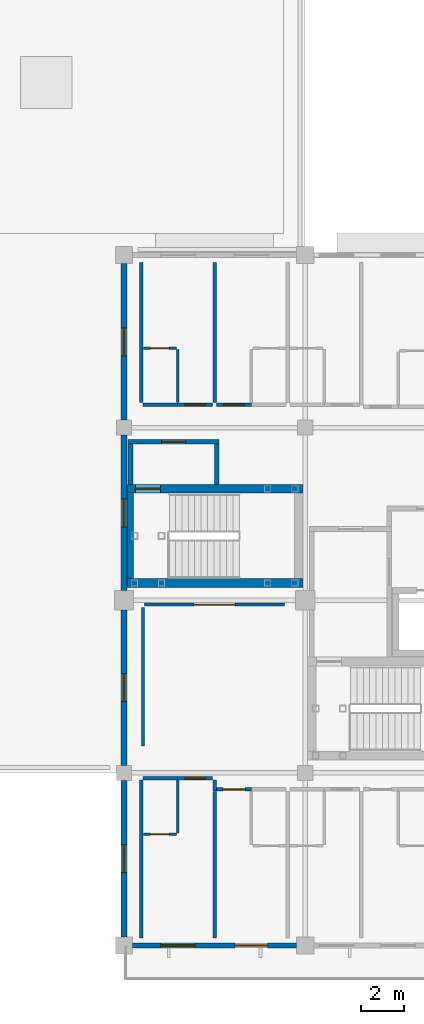
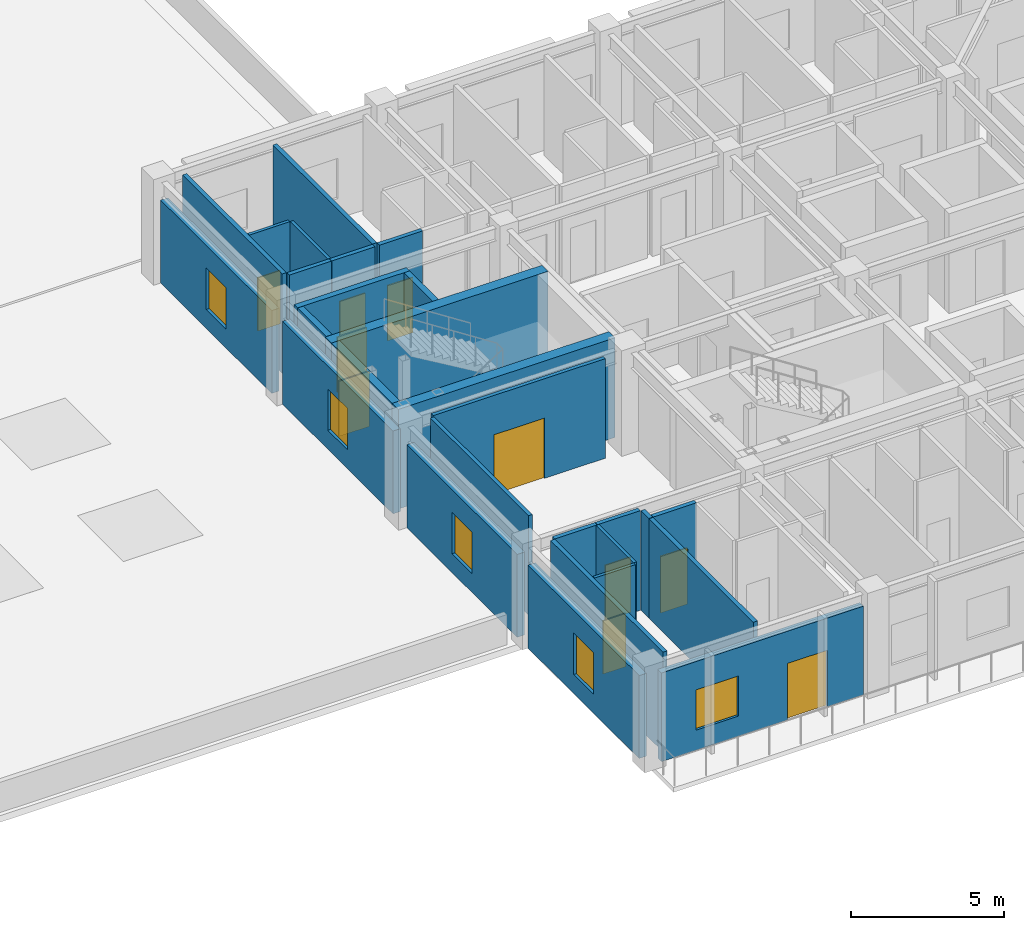
# One storey, part 6 of 22: 28 walls, 10 doors, 5 windows, 15 openings.
"""IFC4 building model written with IfcOpenShell, lengths in metres."""

from ifc_helpers import new_model, si_unit, direction, frame, frame_2d, origin, place, context, subcontext, project, spatial, rectangle, extrude, material, layer, layer_set, type_object, element, fill, save


model = new_model("IFC4")

# Units and contexts
model_context = context("Model", 3, precision=1e-05, world=origin(), true_north=direction((0.0, 1.0)))
body_context = subcontext(model_context, "Body", "Model", "MODEL_VIEW")
ifc_project = project(units=[si_unit("LENGTHUNIT", "METRE"), si_unit("AREAUNIT", "SQUARE_METRE"), si_unit("VOLUMEUNIT", "CUBIC_METRE"), si_unit("PLANEANGLEUNIT", "RADIAN"), si_unit("MASSUNIT", "GRAM", prefix="KILO")], contexts=[model_context])

# Site, building, storey
site_placement = place(None, origin())
site = spatial("IfcSite", under=ifc_project, at=site_placement, CompositionType="ELEMENT")
building_placement = place(site_placement, origin())
building = spatial("IfcBuilding", under=site, at=building_placement, Name="Naruveol Harbour Congress Hotel", CompositionType="ELEMENT")
storey_placement = place(building_placement, frame((0.0, 0.0, 21.0)))
storey = spatial("IfcBuildingStorey", under=building, at=storey_placement, Name="L04", CompositionType="ELEMENT", Elevation=21.0)

# Wall, opening, door
ifc_material_1 = material(Name="Acoustic Double Stud Gypsum", Category="gypsum")
ifc_layer_1 = layer(ifc_material_1, 0.139892578125)
ifc_layer_set_1 = layer_set([ifc_layer_1], Name="Acoustic Double Stud Gypsum")
wall_type_1 = type_object("IfcWallType", Name="ACOUSTIC MEETING PARTITION WALL 140", PredefinedType="PARTITIONING", material=ifc_layer_set_1)
wall_1_placement = place(storey_placement, frame((118.56005859375, 15.800048828125, 0.0), z_axis=(0.0, 0.0, 1.0), x_axis=(1.0, 0.0, 0.0)))
wall_1 = element("IfcWall", 1, at=wall_1_placement, inside=storey, type_object=wall_type_1, Name="Harbour Club Lounge north entry wall PW-140", PredefinedType="PARTITIONING", context=body_context, shape_type="SweptSolid", body=[
    extrude(rectangle(XDim=6.47998046875, YDim=0.139892578125, at=frame_2d((3.239990234375, 0.0))), origin(), (0.0, 0.0, 1.0), 3.965087890625),
])
opening_1_placement = place(wall_1_placement, frame((2.2900390625, 0.0, 0.0)))
opening_1 = element("IfcOpeningElement", 2, at=opening_1_placement, cuts=wall_1, Name="Opening ID-LG-95", PredefinedType="OPENING", context=body_context, shape_type="SweptSolid", body=[
    extrude(rectangle(XDim=1.89990234375, YDim=2.39990234375, at=frame_2d((0.949951171875, 1.199951171875))), frame((0.0, 0.079833984375, 0.0), z_axis=(0.0, -1.0, 0.0), x_axis=(1.0, 0.0, 0.0)), (0.0, 0.0, 1.0), 0.159912109375),
])
ifc_material_2 = material(Name="Timber & Steel Acoustic Leaf", Category="steel")
door_type_1 = type_object("IfcDoorType", Name="RESTAURANT AND LOUNGE GLAZED DOOR 1900X2400", OperationType="DOUBLE_DOOR_SINGLE_SWING", PredefinedType="DOOR", material=ifc_material_2)
door_1_placement = place(opening_1_placement, origin())
door_1 = element("IfcDoor", 3, at=door_1_placement, inside=storey, type_object=door_type_1, Name="Harbour Club Lounge Entrance Door", OperationType="DOUBLE_DOOR_SINGLE_SWING", OverallHeight=2.39990234375, OverallWidth=1.89990234375, PredefinedType="DOOR", context=body_context, shape_type="SweptSolid", body=[
    extrude(rectangle(XDim=1.89990234375, YDim=2.39990234375, at=frame_2d((0.949951171875, 1.199951171875))), frame((0.0, 0.02490234375, 0.0), z_axis=(0.0, -1.0, 0.0), x_axis=(1.0, 0.0, 0.0)), (0.0, 0.0, 1.0), 0.050048828125),
])
fill(opening_1, door_1)

# Wall
wall_2_placement = place(storey_placement, frame((118.47998046875, 9.25, 0.0), z_axis=(0.0, 0.0, 1.0), x_axis=(0.0, 1.0, 0.0)))
element("IfcWall", 4, at=wall_2_placement, inside=storey, type_object=wall_type_1, Name="Harbour Club Lounge west partition PW-140", PredefinedType="PARTITIONING", context=body_context, shape_type="SweptSolid", body=[
    extrude(rectangle(XDim=6.409912109375, YDim=0.139892578125, at=frame_2d((3.205078125, 0.0))), origin(), (0.0, 0.0, 1.0), 3.965087890625),
])

# Wall, opening, window
ifc_material_3 = material(Name="Precast concrete C40/50", Category="concrete")
ifc_layer_2 = layer(ifc_material_3, 0.280029296875)
ifc_layer_set_2 = layer_set([ifc_layer_2], Name="Precast concrete C40/50")
wall_type_2 = type_object("IfcWallType", Name="ARCHITECTURAL PRECAST FACADE WALL 280", PredefinedType="SOLIDWALL", material=ifc_layer_set_2)
wall_3_placement = place(storey_placement, frame((117.60009765625, 0.39990234375, 0.0), z_axis=(0.0, 0.0, 1.0), x_axis=(0.0, 1.0, 0.0)))
wall_3 = element("IfcWall", 5, at=wall_3_placement, inside=storey, type_object=wall_type_2, Name="Hotel west gable wall L04 EW-280", PredefinedType="SOLIDWALL", context=body_context, shape_type="SweptSolid", body=[
    extrude(rectangle(XDim=7.25, YDim=0.280029296875, at=frame_2d((3.625, 0.0))), origin(), (0.0, 0.0, 1.0), 3.300048828125),
])
opening_2_placement = place(wall_3_placement, frame((2.97509765625, 0.0, 0.75)))
opening_2 = element("IfcOpeningElement", 6, at=opening_2_placement, cuts=wall_3, Name="Opening W-27", PredefinedType="OPENING", context=body_context, shape_type="SweptSolid", body=[
    extrude(rectangle(XDim=1.300048828125, YDim=1.64990234375, at=frame_2d((0.64990234375, 0.824951171875))), frame((0.0, 0.14990234375, 0.0), z_axis=(0.0, -1.0, 0.0), x_axis=(1.0, 0.0, 0.0)), (0.0, 0.0, 1.0), 0.300048828125),
])
ifc_material_4 = material(Name="Low-E Triple Glazing in Thermal Aluminium", Category="aluminium")
window_type_1 = type_object("IfcWindowType", Name="READING SALON TALL WINDOW 1300X1650", PartitioningType="SINGLE_PANEL", PredefinedType="WINDOW", material=ifc_material_4)
window_1_placement = place(opening_2_placement, origin())
window_1 = element("IfcWindow", 7, at=window_1_placement, inside=storey, type_object=window_type_1, Name="Window W-27 #304", OverallHeight=1.64990234375, OverallWidth=1.300048828125, PartitioningType="SINGLE_PANEL", PredefinedType="WINDOW", context=body_context, shape_type="SweptSolid", body=[
    extrude(rectangle(XDim=1.300048828125, YDim=1.64990234375, at=frame_2d((0.64990234375, 0.824951171875))), frame((0.0, 0.030029296875, 0.0), z_axis=(0.0, -1.0, 0.0), x_axis=(1.0, 0.0, 0.0)), (0.0, 0.0, 1.0), 0.06005859375),
])
fill(opening_2, window_1)

wall_4_placement = place(storey_placement, frame((117.60009765625, 8.35009765625, 0.0), z_axis=(0.0, 0.0, 1.0), x_axis=(0.0, 1.0, 0.0)))
wall_4 = element("IfcWall", 8, at=wall_4_placement, inside=storey, type_object=wall_type_2, Name="Hotel west gable wall L04 EW-280", PredefinedType="SOLIDWALL", context=body_context, shape_type="SweptSolid", body=[
    extrude(rectangle(XDim=7.199951171875, YDim=0.280029296875, at=frame_2d((3.60009765625, 0.0))), origin(), (0.0, 0.0, 1.0), 3.300048828125),
])
opening_3_placement = place(wall_4_placement, frame((2.949951171875, 0.0, 0.75)))
opening_3 = element("IfcOpeningElement", 9, at=opening_3_placement, cuts=wall_4, Name="Opening W-27", PredefinedType="OPENING", context=body_context, shape_type="SweptSolid", body=[
    extrude(rectangle(XDim=1.300048828125, YDim=1.64990234375, at=frame_2d((0.64990234375, 0.824951171875))), frame((0.0, 0.14990234375, 0.0), z_axis=(0.0, -1.0, 0.0), x_axis=(1.0, 0.0, 0.0)), (0.0, 0.0, 1.0), 0.300048828125),
])
window_2_placement = place(opening_3_placement, origin())
window_2 = element("IfcWindow", 10, at=window_2_placement, inside=storey, type_object=window_type_1, Name="Window W-27 #305", OverallHeight=1.64990234375, OverallWidth=1.300048828125, PartitioningType="SINGLE_PANEL", PredefinedType="WINDOW", context=body_context, shape_type="SweptSolid", body=[
    extrude(rectangle(XDim=1.300048828125, YDim=1.64990234375, at=frame_2d((0.64990234375, 0.824951171875))), frame((0.0, 0.030029296875, 0.0), z_axis=(0.0, -1.0, 0.0), x_axis=(1.0, 0.0, 0.0)), (0.0, 0.0, 1.0), 0.06005859375),
])
fill(opening_3, window_2)

wall_5_placement = place(storey_placement, frame((117.60009765625, 16.449951171875, 0.0), z_axis=(0.0, 0.0, 1.0), x_axis=(0.0, 1.0, 0.0)))
wall_5 = element("IfcWall", 11, at=wall_5_placement, inside=storey, type_object=wall_type_2, Name="Hotel west gable wall L04 EW-280", PredefinedType="SOLIDWALL", context=body_context, shape_type="SweptSolid", body=[
    extrude(rectangle(XDim=7.199951171875, YDim=0.280029296875, at=frame_2d((3.60009765625, 0.0))), origin(), (0.0, 0.0, 1.0), 3.300048828125),
])
opening_4_placement = place(wall_5_placement, frame((2.949951171875, 0.0, 0.75)))
opening_4 = element("IfcOpeningElement", 12, at=opening_4_placement, cuts=wall_5, Name="Opening W-27", PredefinedType="OPENING", context=body_context, shape_type="SweptSolid", body=[
    extrude(rectangle(XDim=1.300048828125, YDim=1.64990234375, at=frame_2d((0.64990234375, 0.824951171875))), frame((0.0, 0.14990234375, 0.0), z_axis=(0.0, -1.0, 0.0), x_axis=(1.0, 0.0, 0.0)), (0.0, 0.0, 1.0), 0.300048828125),
])
window_3_placement = place(opening_4_placement, origin())
window_3 = element("IfcWindow", 13, at=window_3_placement, inside=storey, type_object=window_type_1, Name="Window W-27 #306", OverallHeight=1.64990234375, OverallWidth=1.300048828125, PartitioningType="SINGLE_PANEL", PredefinedType="WINDOW", context=body_context, shape_type="SweptSolid", body=[
    extrude(rectangle(XDim=1.300048828125, YDim=1.64990234375, at=frame_2d((0.64990234375, 0.824951171875))), frame((0.0, 0.030029296875, 0.0), z_axis=(0.0, -1.0, 0.0), x_axis=(1.0, 0.0, 0.0)), (0.0, 0.0, 1.0), 0.06005859375),
])
fill(opening_4, window_3)

wall_6_placement = place(storey_placement, frame((117.60009765625, 24.35009765625, 0.0), z_axis=(0.0, 0.0, 1.0), x_axis=(0.0, 1.0, 0.0)))
wall_6 = element("IfcWall", 14, at=wall_6_placement, inside=storey, type_object=wall_type_2, Name="Hotel west gable wall L04 EW-280", PredefinedType="SOLIDWALL", context=body_context, shape_type="SweptSolid", body=[
    extrude(rectangle(XDim=7.25, YDim=0.280029296875, at=frame_2d((3.625, 0.0))), origin(), (0.0, 0.0, 1.0), 3.300048828125),
])
opening_5_placement = place(wall_6_placement, frame((2.97509765625, 0.0, 0.75)))
opening_5 = element("IfcOpeningElement", 15, at=opening_5_placement, cuts=wall_6, Name="Opening W-27", PredefinedType="OPENING", context=body_context, shape_type="SweptSolid", body=[
    extrude(rectangle(XDim=1.300048828125, YDim=1.64990234375, at=frame_2d((0.64990234375, 0.824951171875))), frame((0.0, 0.14990234375, 0.0), z_axis=(0.0, -1.0, 0.0), x_axis=(1.0, 0.0, 0.0)), (0.0, 0.0, 1.0), 0.300048828125),
])
window_4_placement = place(opening_5_placement, origin())
window_4 = element("IfcWindow", 16, at=window_4_placement, inside=storey, type_object=window_type_1, Name="Window W-27 #307", OverallHeight=1.64990234375, OverallWidth=1.300048828125, PartitioningType="SINGLE_PANEL", PredefinedType="WINDOW", context=body_context, shape_type="SweptSolid", body=[
    extrude(rectangle(XDim=1.300048828125, YDim=1.64990234375, at=frame_2d((0.64990234375, 0.824951171875))), frame((0.0, 0.030029296875, 0.0), z_axis=(0.0, -1.0, 0.0), x_axis=(1.0, 0.0, 0.0)), (0.0, 0.0, 1.0), 0.06005859375),
])
fill(opening_5, window_4)

# Wall
ifc_material_5 = material(Name="Moisture-Resistant Gypsum Partition", Category="gypsum")
ifc_layer_3 = layer(ifc_material_5, 0.114990234375)
ifc_layer_set_3 = layer_set([ifc_layer_3], Name="Moisture-Resistant Gypsum Partition")
wall_type_3 = type_object("IfcWallType", Name="BATHROOM MOISTURE PARTITION WALL 115", PredefinedType="PARTITIONING", material=ifc_layer_set_3)
wall_7_placement = place(storey_placement, frame((120.090087890625, 25.159912109375, 0.0), z_axis=(0.0, 0.0, 1.0), x_axis=(0.0, 1.0, 0.0)))
element("IfcWall", 17, at=wall_7_placement, inside=storey, type_object=wall_type_3, Name="Bathroom east wall 0596 PW-115", PredefinedType="PARTITIONING", context=body_context, shape_type="SweptSolid", body=[
    extrude(rectangle(XDim=2.4501953125, YDim=0.114990234375, at=frame_2d((1.22509765625, 0.0))), origin(), (0.0, 0.0, 1.0), 3.965087890625),
])

# Wall, opening, door
wall_8_placement = place(storey_placement, frame((118.5, 27.669921875, 0.0), z_axis=(0.0, 0.0, 1.0), x_axis=(1.0, 0.0, 0.0)))
wall_8 = element("IfcWall", 18, at=wall_8_placement, inside=storey, type_object=wall_type_3, Name="Bathroom north wall 0596 PW-115", PredefinedType="PARTITIONING", context=body_context, shape_type="SweptSolid", body=[
    extrude(rectangle(XDim=1.530029296875, YDim=0.114990234375, at=frame_2d((0.76513671875, 0.0))), origin(), (0.0, 0.0, 1.0), 3.965087890625),
])
opening_6_placement = place(wall_8_placement, frame((0.3349609375, 0.0, 0.0)))
opening_6 = element("IfcOpeningElement", 19, at=opening_6_placement, cuts=wall_8, Name="Opening BD-RM0596", PredefinedType="OPENING", context=body_context, shape_type="SweptSolid", body=[
    extrude(rectangle(XDim=0.860107421875, YDim=2.1201171875, at=frame_2d((0.43017578125, 1.06005859375))), frame((0.0, 0.0673828125, 0.0), z_axis=(0.0, -1.0, 0.0), x_axis=(1.0, 0.0, 0.0)), (0.0, 0.0, 1.0), 0.135009765625),
])
ifc_material_6 = material(Name="Timber & Steel Acoustic Leaf", Category="steel")
door_type_2 = type_object("IfcDoorType", Name="GUEST BATHROOM DOOR 860X2120", OperationType="NOTDEFINED", PredefinedType="DOOR", material=ifc_material_6)
door_2_placement = place(opening_6_placement, origin())
door_2 = element("IfcDoor", 20, at=door_2_placement, inside=storey, type_object=door_type_2, Name="Bathroom Door 0596", OperationType="SINGLE_SWING_RIGHT", OverallHeight=2.1201171875, OverallWidth=0.860107421875, PredefinedType="DOOR", context=body_context, shape_type="SweptSolid", body=[
    extrude(rectangle(XDim=0.860107421875, YDim=2.1201171875, at=frame_2d((0.43017578125, 1.06005859375))), frame((0.0, 0.02490234375, 0.0), z_axis=(0.0, -1.0, 0.0), x_axis=(1.0, 0.0, 0.0)), (0.0, 0.0, 1.0), 0.050048828125),
])
fill(opening_6, door_2)

# Wall
wall_9_placement = place(storey_placement, frame((120.090087890625, 5.219970703125, 0.0), z_axis=(0.0, 0.0, 1.0), x_axis=(0.0, 1.0, 0.0)))
element("IfcWall", 21, at=wall_9_placement, inside=storey, type_object=wall_type_3, Name="Bathroom east wall 0577 PW-115", PredefinedType="PARTITIONING", context=body_context, shape_type="SweptSolid", body=[
    extrude(rectangle(XDim=2.449951171875, YDim=0.114990234375, at=frame_2d((1.22509765625, 0.0))), origin(), (0.0, 0.0, 1.0), 3.965087890625),
])

# Wall, opening, door
wall_10_placement = place(storey_placement, frame((118.5, 5.159912109375, 0.0), z_axis=(0.0, 0.0, 1.0), x_axis=(1.0, 0.0, 0.0)))
wall_10 = element("IfcWall", 22, at=wall_10_placement, inside=storey, type_object=wall_type_3, Name="Bathroom south wall 0577 PW-115", PredefinedType="PARTITIONING", context=body_context, shape_type="SweptSolid", body=[
    extrude(rectangle(XDim=1.530029296875, YDim=0.114990234375, at=frame_2d((0.76513671875, 0.0))), origin(), (0.0, 0.0, 1.0), 3.965087890625),
])
opening_7_placement = place(wall_10_placement, frame((0.3349609375, 0.0, 0.0)))
opening_7 = element("IfcOpeningElement", 23, at=opening_7_placement, cuts=wall_10, Name="Opening BD-RM0577", PredefinedType="OPENING", context=body_context, shape_type="SweptSolid", body=[
    extrude(rectangle(XDim=0.860107421875, YDim=2.1201171875, at=frame_2d((0.43017578125, 1.06005859375))), frame((0.0, 0.0673828125, 0.0), z_axis=(0.0, -1.0, 0.0), x_axis=(1.0, 0.0, 0.0)), (0.0, 0.0, 1.0), 0.135009765625),
])
door_3_placement = place(opening_7_placement, origin())
door_3 = element("IfcDoor", 24, at=door_3_placement, inside=storey, type_object=door_type_2, Name="Bathroom Door 0577", OperationType="SINGLE_SWING_RIGHT", OverallHeight=2.1201171875, OverallWidth=0.860107421875, PredefinedType="DOOR", context=body_context, shape_type="SweptSolid", body=[
    extrude(rectangle(XDim=0.860107421875, YDim=2.1201171875, at=frame_2d((0.43017578125, 1.06005859375))), frame((0.0, 0.02490234375, 0.0), z_axis=(0.0, -1.0, 0.0), x_axis=(1.0, 0.0, 0.0)), (0.0, 0.0, 1.0), 0.050048828125),
])
fill(opening_7, door_3)

# Wall
ifc_material_7 = material(Name="Concrete C40/50", Category="concrete")
ifc_layer_4 = layer(ifc_material_7, 0.219970703125)
ifc_layer_set_4 = layer_set([ifc_layer_4], Name="Concrete C40/50")
wall_type_4 = type_object("IfcWallType", Name="FIRE COMPARTMENT AND LOBBY WALL 220 EI120", PredefinedType="PARTITIONING", material=ifc_layer_set_4)
wall_11_placement = place(storey_placement, frame((117.89990234375, 21.364990234375, 0.0), z_axis=(0.0, 0.0, 1.0), x_axis=(0.0, 1.0, 0.0)))
element("IfcWall", 25, at=wall_11_placement, inside=storey, type_object=wall_type_4, Name="Smoke vestibule ST3 west wall FW-220", PredefinedType="PARTITIONING", context=body_context, shape_type="SweptSolid", body=[
    extrude(rectangle(XDim=1.8701171875, YDim=0.219970703125, at=frame_2d((0.93505859375, 0.0))), origin(), (0.0, 0.0, 1.0), 3.965087890625),
])

# Wall, opening, door
wall_12_placement = place(storey_placement, frame((117.7900390625, 23.35009765625, 0.0), z_axis=(0.0, 0.0, 1.0), x_axis=(1.0, 0.0, 0.0)))
wall_12 = element("IfcWall", 26, at=wall_12_placement, inside=storey, type_object=wall_type_4, Name="Smoke vestibule ST3 north wall FW-220", PredefinedType="PARTITIONING", context=body_context, shape_type="SweptSolid", body=[
    extrude(rectangle(XDim=4.219970703125, YDim=0.219970703125, at=frame_2d((2.10986328125, 0.0))), origin(), (0.0, 0.0, 1.0), 3.965087890625),
])
opening_8_placement = place(wall_12_placement, frame((1.550048828125, 0.0, 0.0)))
opening_8 = element("IfcOpeningElement", 27, at=opening_8_placement, cuts=wall_12, Name="Opening FD-ST3-V-L04", PredefinedType="OPENING", context=body_context, shape_type="SweptSolid", body=[
    extrude(rectangle(XDim=1.1201171875, YDim=2.199951171875, at=frame_2d((0.56005859375, 1.10009765625))), frame((0.0, 0.119873046875, 0.0), z_axis=(0.0, -1.0, 0.0), x_axis=(1.0, 0.0, 0.0)), (0.0, 0.0, 1.0), 0.239990234375),
])
ifc_material_8 = material(Name="Timber & Steel Acoustic Leaf", Category="steel")
door_type_3 = type_object("IfcDoorType", Name="VESTIBULE SMOKE CONTROL FIRE DOOR 1120X2200", OperationType="NOTDEFINED", PredefinedType="DOOR", material=ifc_material_8)
door_4_placement = place(opening_8_placement, origin())
door_4 = element("IfcDoor", 28, at=door_4_placement, inside=storey, type_object=door_type_3, Name="Smoke Vestibule Entry Door ST3 L04", OperationType="SINGLE_SWING_LEFT", OverallHeight=2.199951171875, OverallWidth=1.1201171875, PredefinedType="DOOR", context=body_context, shape_type="SweptSolid", body=[
    extrude(rectangle(XDim=1.1201171875, YDim=2.199951171875, at=frame_2d((0.56005859375, 1.10009765625))), frame((0.0, 0.02490234375, 0.0), z_axis=(0.0, -1.0, 0.0), x_axis=(1.0, 0.0, 0.0)), (0.0, 0.0, 1.0), 0.050048828125),
])
fill(opening_8, door_4)

# Walls
wall_13_placement = place(storey_placement, frame((121.89990234375, 21.364990234375, 0.0), z_axis=(0.0, 0.0, 1.0), x_axis=(0.0, 1.0, 0.0)))
element("IfcWall", 29, at=wall_13_placement, inside=storey, type_object=wall_type_4, Name="Smoke vestibule ST3 east wall FW-220", PredefinedType="PARTITIONING", context=body_context, shape_type="SweptSolid", body=[
    extrude(rectangle(XDim=1.8701171875, YDim=0.219970703125, at=frame_2d((0.93505859375, 0.0))), origin(), (0.0, 0.0, 1.0), 3.965087890625),
])
ifc_material_9 = material(Name="Autoclaved Aerated Concrete Block", Category="concrete")
ifc_layer_5 = layer(ifc_material_9, 0.159912109375)
ifc_layer_set_5 = layer_set([ifc_layer_5], Name="Autoclaved Aerated Concrete Block")
wall_type_5 = type_object("IfcWallType", Name="HOTEL PARTY AND CORRIDOR WALL 160 EI60", PredefinedType="PARTITIONING", material=ifc_layer_set_5)
wall_14_placement = place(storey_placement, frame((118.489990234375, 25.070068359375, 0.0), z_axis=(0.0, 0.0, 1.0), x_axis=(1.0, 0.0, 0.0)))
element("IfcWall", 30, at=wall_14_placement, inside=storey, type_object=wall_type_5, Name="Corridor wall 0596B PW-160", PredefinedType="PARTITIONING", context=body_context, shape_type="SweptSolid", body=[
    extrude(rectangle(XDim=1.590087890625, YDim=0.159912109375, at=frame_2d((0.794921875, 0.0))), origin(), (0.0, 0.0, 1.0), 3.965087890625),
])

# Wall, opening, door
wall_15_placement = place(storey_placement, frame((120.090087890625, 25.070068359375, 0.0), z_axis=(0.0, 0.0, 1.0), x_axis=(1.0, 0.0, 0.0)))
wall_15 = element("IfcWall", 31, at=wall_15_placement, inside=storey, type_object=wall_type_5, Name="Corridor entry wall 0596 PW-160", PredefinedType="PARTITIONING", context=body_context, shape_type="SweptSolid", body=[
    extrude(rectangle(XDim=1.619873046875, YDim=0.159912109375, at=frame_2d((0.81005859375, 0.0))), origin(), (0.0, 0.0, 1.0), 3.965087890625),
])
opening_9_placement = place(wall_15_placement, frame((0.330078125, 0.0, 0.0)))
opening_9 = element("IfcOpeningElement", 32, at=opening_9_placement, cuts=wall_15, Name="Opening FD-RM0596", PredefinedType="OPENING", context=body_context, shape_type="SweptSolid", body=[
    extrude(rectangle(XDim=0.9599609375, YDim=2.199951171875, at=frame_2d((0.47998046875, 1.10009765625))), frame((0.0, 0.08984375, 0.0), z_axis=(0.0, -1.0, 0.0), x_axis=(1.0, 0.0, 0.0)), (0.0, 0.0, 1.0), 0.179931640625),
])
ifc_material_10 = material(Name="Timber & Steel Acoustic Leaf", Category="steel")
door_type_4 = type_object("IfcDoorType", Name="GUEST ROOM ENTRANCE FIRE DOOR 960X2200", OperationType="NOTDEFINED", PredefinedType="DOOR", material=ifc_material_10)
door_5_placement = place(opening_9_placement, origin())
door_5 = element("IfcDoor", 33, at=door_5_placement, inside=storey, type_object=door_type_4, Name="Hotel Room Door 0596", OperationType="SINGLE_SWING_LEFT", OverallHeight=2.199951171875, OverallWidth=0.9599609375, PredefinedType="DOOR", context=body_context, shape_type="SweptSolid", body=[
    extrude(rectangle(XDim=0.9599609375, YDim=2.199951171875, at=frame_2d((0.47998046875, 1.10009765625))), frame((0.0, 0.02490234375, 0.0), z_axis=(0.0, -1.0, 0.0), x_axis=(1.0, 0.0, 0.0)), (0.0, 0.0, 1.0), 0.050048828125),
])
fill(opening_9, door_5)

# Wall
wall_16_placement = place(storey_placement, frame((118.39990234375, 25.159912109375, 0.0), z_axis=(0.0, 0.0, 1.0), x_axis=(0.0, 1.0, 0.0)))
element("IfcWall", 34, at=wall_16_placement, inside=storey, type_object=wall_type_5, Name="Hotel party wall 0596 PW-160", PredefinedType="PARTITIONING", context=body_context, shape_type="SweptSolid", body=[
    extrude(rectangle(XDim=6.5, YDim=0.159912109375, at=frame_2d((3.25, 0.0))), origin(), (0.0, 0.0, 1.0), 3.965087890625),
])

# Wall, opening, door
wall_17_placement = place(storey_placement, frame((121.889892578125, 25.070068359375, 0.0), z_axis=(0.0, 0.0, 1.0), x_axis=(1.0, 0.0, 0.0)))
wall_17 = element("IfcWall", 35, at=wall_17_placement, inside=storey, type_object=wall_type_5, Name="Corridor entry wall 0597 PW-160", PredefinedType="PARTITIONING", context=body_context, shape_type="SweptSolid", body=[
    extrude(rectangle(XDim=1.6201171875, YDim=0.159912109375, at=frame_2d((0.81005859375, 0.0))), origin(), (0.0, 0.0, 1.0), 3.965087890625),
])
opening_10_placement = place(wall_17_placement, frame((0.330078125, 0.0, 0.0)))
opening_10 = element("IfcOpeningElement", 36, at=opening_10_placement, cuts=wall_17, Name="Opening FD-RM0597", PredefinedType="OPENING", context=body_context, shape_type="SweptSolid", body=[
    extrude(rectangle(XDim=0.9599609375, YDim=2.199951171875, at=frame_2d((0.47998046875, 1.10009765625))), frame((0.0, 0.08984375, 0.0), z_axis=(0.0, -1.0, 0.0), x_axis=(1.0, 0.0, 0.0)), (0.0, 0.0, 1.0), 0.179931640625),
])
door_6_placement = place(opening_10_placement, origin())
door_6 = element("IfcDoor", 37, at=door_6_placement, inside=storey, type_object=door_type_4, Name="Hotel Room Door 0597", OperationType="SINGLE_SWING_LEFT", OverallHeight=2.199951171875, OverallWidth=0.9599609375, PredefinedType="DOOR", context=body_context, shape_type="SweptSolid", body=[
    extrude(rectangle(XDim=0.9599609375, YDim=2.199951171875, at=frame_2d((0.47998046875, 1.10009765625))), frame((0.0, 0.02490234375, 0.0), z_axis=(0.0, -1.0, 0.0), x_axis=(1.0, 0.0, 0.0)), (0.0, 0.0, 1.0), 0.050048828125),
])
fill(opening_10, door_6)

# Walls
wall_18_placement = place(storey_placement, frame((121.800048828125, 25.159912109375, 0.0), z_axis=(0.0, 0.0, 1.0), x_axis=(0.0, 1.0, 0.0)))
element("IfcWall", 38, at=wall_18_placement, inside=storey, type_object=wall_type_5, Name="Hotel party wall 0597 PW-160", PredefinedType="PARTITIONING", context=body_context, shape_type="SweptSolid", body=[
    extrude(rectangle(XDim=6.5, YDim=0.159912109375, at=frame_2d((3.25, 0.0))), origin(), (0.0, 0.0, 1.0), 3.965087890625),
])
wall_19_placement = place(storey_placement, frame((118.489990234375, 7.760009765625, 0.0), z_axis=(0.0, 0.0, 1.0), x_axis=(1.0, 0.0, 0.0)))
element("IfcWall", 39, at=wall_19_placement, inside=storey, type_object=wall_type_5, Name="Corridor wall 0577B PW-160", PredefinedType="PARTITIONING", context=body_context, shape_type="SweptSolid", body=[
    extrude(rectangle(XDim=1.590087890625, YDim=0.159912109375, at=frame_2d((0.794921875, 0.0))), origin(), (0.0, 0.0, 1.0), 3.965087890625),
])

# Wall, opening, door
wall_20_placement = place(storey_placement, frame((120.090087890625, 7.760009765625, 0.0), z_axis=(0.0, 0.0, 1.0), x_axis=(1.0, 0.0, 0.0)))
wall_20 = element("IfcWall", 40, at=wall_20_placement, inside=storey, type_object=wall_type_5, Name="Corridor entry wall 0577 PW-160", PredefinedType="PARTITIONING", context=body_context, shape_type="SweptSolid", body=[
    extrude(rectangle(XDim=1.619873046875, YDim=0.159912109375, at=frame_2d((0.81005859375, 0.0))), origin(), (0.0, 0.0, 1.0), 3.965087890625),
])
opening_11_placement = place(wall_20_placement, frame((0.330078125, 0.0, 0.0)))
opening_11 = element("IfcOpeningElement", 41, at=opening_11_placement, cuts=wall_20, Name="Opening FD-RM0577", PredefinedType="OPENING", context=body_context, shape_type="SweptSolid", body=[
    extrude(rectangle(XDim=0.9599609375, YDim=2.199951171875, at=frame_2d((0.47998046875, 1.10009765625))), frame((0.0, 0.08984375, 0.0), z_axis=(0.0, -1.0, 0.0), x_axis=(1.0, 0.0, 0.0)), (0.0, 0.0, 1.0), 0.179931640625),
])
door_7_placement = place(opening_11_placement, origin())
door_7 = element("IfcDoor", 42, at=door_7_placement, inside=storey, type_object=door_type_4, Name="Hotel Room Door 0577", OperationType="SINGLE_SWING_LEFT", OverallHeight=2.199951171875, OverallWidth=0.9599609375, PredefinedType="DOOR", context=body_context, shape_type="SweptSolid", body=[
    extrude(rectangle(XDim=0.9599609375, YDim=2.199951171875, at=frame_2d((0.47998046875, 1.10009765625))), frame((0.0, 0.02490234375, 0.0), z_axis=(0.0, -1.0, 0.0), x_axis=(1.0, 0.0, 0.0)), (0.0, 0.0, 1.0), 0.050048828125),
])
fill(opening_11, door_7)

# Walls
wall_21_placement = place(storey_placement, frame((118.39990234375, 0.340087890625, 0.0), z_axis=(0.0, 0.0, 1.0), x_axis=(0.0, 1.0, 0.0)))
element("IfcWall", 43, at=wall_21_placement, inside=storey, type_object=wall_type_5, Name="Hotel party wall 0577 PW-160", PredefinedType="PARTITIONING", context=body_context, shape_type="SweptSolid", body=[
    extrude(rectangle(XDim=7.329833984375, YDim=0.159912109375, at=frame_2d((3.6650390625, 0.0))), origin(), (0.0, 0.0, 1.0), 3.965087890625),
])
wall_22_placement = place(storey_placement, frame((121.800048828125, 7.14990234375, 0.0), z_axis=(0.0, 0.0, 1.0), x_axis=(0.0, 1.0, 0.0)))
element("IfcWall", 44, at=wall_22_placement, inside=storey, type_object=wall_type_5, Name="Hotel end party wall 0577 PW-160", PredefinedType="PARTITIONING", context=body_context, shape_type="SweptSolid", body=[
    extrude(rectangle(XDim=0.52001953125, YDim=0.159912109375, at=frame_2d((0.260009765625, 0.0))), origin(), (0.0, 0.0, 1.0), 3.965087890625),
])

# Wall, opening, door
wall_23_placement = place(storey_placement, frame((121.889892578125, 7.22998046875, 0.0), z_axis=(0.0, 0.0, 1.0), x_axis=(1.0, 0.0, 0.0)))
wall_23 = element("IfcWall", 45, at=wall_23_placement, inside=storey, type_object=wall_type_5, Name="Corridor entry wall 0578 PW-160", PredefinedType="PARTITIONING", context=body_context, shape_type="SweptSolid", body=[
    extrude(rectangle(XDim=1.6201171875, YDim=0.159912109375, at=frame_2d((0.81005859375, 0.0))), origin(), (0.0, 0.0, 1.0), 3.965087890625),
])
opening_12_placement = place(wall_23_placement, frame((0.31005859375, 0.0, 0.0)))
opening_12 = element("IfcOpeningElement", 46, at=opening_12_placement, cuts=wall_23, Name="Opening FD-RM0578", PredefinedType="OPENING", context=body_context, shape_type="SweptSolid", body=[
    extrude(rectangle(XDim=1.0, YDim=2.25, at=frame_2d((0.5, 1.125))), frame((0.0, 0.08984375, 0.0), z_axis=(0.0, -1.0, 0.0), x_axis=(1.0, 0.0, 0.0)), (0.0, 0.0, 1.0), 0.179931640625),
])
ifc_material_11 = material(Name="Timber & Steel Acoustic Leaf", Category="steel")
door_type_5 = type_object("IfcDoorType", Name="DELUXE GUEST ENTRANCE FIRE DOOR 1000X2250", OperationType="NOTDEFINED", PredefinedType="DOOR", material=ifc_material_11)
door_8_placement = place(opening_12_placement, origin())
door_8 = element("IfcDoor", 47, at=door_8_placement, inside=storey, type_object=door_type_5, Name="Hotel Room Door 0578", OperationType="SINGLE_SWING_LEFT", OverallHeight=2.25, OverallWidth=1.0, PredefinedType="DOOR", context=body_context, shape_type="SweptSolid", body=[
    extrude(rectangle(XDim=1.0, YDim=2.25, at=frame_2d((0.5, 1.125))), frame((0.0, 0.02490234375, 0.0), z_axis=(0.0, -1.0, 0.0), x_axis=(1.0, 0.0, 0.0)), (0.0, 0.0, 1.0), 0.050048828125),
])
fill(opening_12, door_8)

# Wall
wall_24_placement = place(storey_placement, frame((121.800048828125, 0.340087890625, 0.0), z_axis=(0.0, 0.0, 1.0), x_axis=(0.0, 1.0, 0.0)))
element("IfcWall", 48, at=wall_24_placement, inside=storey, type_object=wall_type_5, Name="Hotel party wall 0578 PW-160", PredefinedType="PARTITIONING", context=body_context, shape_type="SweptSolid", body=[
    extrude(rectangle(XDim=6.7998046875, YDim=0.159912109375, at=frame_2d((3.39990234375, 0.0))), origin(), (0.0, 0.0, 1.0), 3.965087890625),
])

# Wall, openings, window, door
ifc_material_12 = material(Name="Concrete C40/50", Category="concrete")
ifc_layer_6 = layer(ifc_material_12, 0.239990234375)
ifc_layer_set_6 = layer_set([ifc_layer_6], Name="Concrete C40/50")
wall_type_6 = type_object("IfcWallType", Name="INSULATED HOTEL SPANDREL WALL 240", PredefinedType="SOLIDWALL", material=ifc_layer_set_6)
wall_25_placement = place(storey_placement, frame((125.60009765625, 0.0, 0.0), z_axis=(0.0, 0.0, 1.0), x_axis=(-1.0, 0.0, 0.0)))
wall_25 = element("IfcWall", 49, at=wall_25_placement, inside=storey, type_object=wall_type_6, Name="Hotel south waterfront wall L04 EW-240", PredefinedType="SOLIDWALL", context=body_context, shape_type="SweptSolid", body=[
    extrude(rectangle(XDim=7.60009765625, YDim=0.239990234375, at=frame_2d((3.800048828125, 0.0))), origin(), (0.0, 0.0, 1.0), 3.530029296875),
])
opening_13_placement = place(wall_25_placement, frame((1.35009765625, 0.0, 0.0)))
opening_13 = element("IfcOpeningElement", 50, at=opening_13_placement, cuts=wall_25, Name="Opening BD-150-030", PredefinedType="OPENING", context=body_context, shape_type="SweptSolid", body=[
    extrude(rectangle(XDim=1.5, YDim=2.25, at=frame_2d((0.75, 1.125))), frame((0.0, 0.1298828125, 0.0), z_axis=(0.0, -1.0, 0.0), x_axis=(1.0, 0.0, 0.0)), (0.0, 0.0, 1.0), 0.260009765625),
])
opening_14_placement = place(wall_25_placement, frame((4.699951171875, 0.0, 0.800048828125)))
opening_14 = element("IfcOpeningElement", 51, at=opening_14_placement, cuts=wall_25, Name="Opening W-03", PredefinedType="OPENING", context=body_context, shape_type="SweptSolid", body=[
    extrude(rectangle(XDim=1.60009765625, YDim=1.60009765625, at=frame_2d((0.800048828125, 0.800048828125))), frame((0.0, 0.1298828125, 0.0), z_axis=(0.0, -1.0, 0.0), x_axis=(1.0, 0.0, 0.0)), (0.0, 0.0, 1.0), 0.260009765625),
])
ifc_material_13 = material(Name="Low-E Triple Glazing in Thermal Aluminium", Category="aluminium")
window_type_2 = type_object("IfcWindowType", Name="DELUXE GUEST WINDOW 1600X1600", PartitioningType="SINGLE_PANEL", PredefinedType="WINDOW", material=ifc_material_13)
window_5_placement = place(opening_14_placement, origin())
window_5 = element("IfcWindow", 52, at=window_5_placement, inside=storey, type_object=window_type_2, Name="Window W-03 #270", OverallHeight=1.60009765625, OverallWidth=1.60009765625, PartitioningType="SINGLE_PANEL", PredefinedType="WINDOW", context=body_context, shape_type="SweptSolid", body=[
    extrude(rectangle(XDim=1.60009765625, YDim=1.60009765625, at=frame_2d((0.800048828125, 0.800048828125))), frame((0.0, 0.030029296875, 0.0), z_axis=(0.0, -1.0, 0.0), x_axis=(1.0, 0.0, 0.0)), (0.0, 0.0, 1.0), 0.06005859375),
])
fill(opening_14, window_5)
ifc_material_14 = material(Name="Powder-Coated Steel & Insulated Glazing", Category="steel")
door_type_6 = type_object("IfcDoorType", Name="SUITE BALCONY SLIDING DOOR 1500X2250", OperationType="SLIDING_TO_LEFT", PredefinedType="DOOR", material=ifc_material_14)
door_9_placement = place(opening_13_placement, origin())
door_9 = element("IfcDoor", 53, at=door_9_placement, inside=storey, type_object=door_type_6, Name="Exterior door BD-150-030", OperationType="SLIDING_TO_LEFT", OverallHeight=2.25, OverallWidth=1.5, PredefinedType="DOOR", context=body_context, shape_type="SweptSolid", body=[
    extrude(rectangle(XDim=1.5, YDim=2.25, at=frame_2d((0.75, 1.125))), frame((0.0, 0.02490234375, 0.0), z_axis=(0.0, -1.0, 0.0), x_axis=(1.0, 0.0, 0.0)), (0.0, 0.0, 1.0), 0.050048828125),
])
fill(opening_13, door_9)

# Wall
ifc_material_15 = material(Name="Concrete C50/60", Category="concrete")
ifc_layer_7 = layer(ifc_material_15, 0.39990234375)
ifc_layer_set_7 = layer_set([ifc_layer_7], Name="Concrete C50/60")
wall_type_7 = type_object("IfcWallType", Name="RC CORE SHEAR WALL 400 EI120", PredefinedType="SHEAR", material=ifc_layer_set_7)
wall_26_placement = place(storey_placement, frame((117.75, 16.800048828125, 0.0), z_axis=(0.0, 0.0, 1.0), x_axis=(1.0, 0.0, 0.0)))
element("IfcWall", 54, at=wall_26_placement, inside=storey, type_object=wall_type_7, Name="Stair ST3 south core wall CW-400", PredefinedType="SHEAR", context=body_context, shape_type="SweptSolid", body=[
    extrude(rectangle(XDim=8.14990234375, YDim=0.39990234375, at=frame_2d((4.074951171875, 0.0))), origin(), (0.0, 0.0, 1.0), 3.965087890625),
])

# Wall, opening, door
wall_27_placement = place(storey_placement, frame((117.75, 21.159912109375, 0.0), z_axis=(0.0, 0.0, 1.0), x_axis=(1.0, 0.0, 0.0)))
wall_27 = element("IfcWall", 55, at=wall_27_placement, inside=storey, type_object=wall_type_7, Name="Stair ST3 north core wall CW-400", PredefinedType="SHEAR", context=body_context, shape_type="SweptSolid", body=[
    extrude(rectangle(XDim=8.14990234375, YDim=0.39990234375, at=frame_2d((4.074951171875, 0.0))), origin(), (0.0, 0.0, 1.0), 3.965087890625),
])
opening_15_placement = place(wall_27_placement, frame((0.3798828125, 0.0, 0.0)))
opening_15 = element("IfcOpeningElement", 56, at=opening_15_placement, cuts=wall_27, Name="Opening FD-ST3-S-L04", PredefinedType="OPENING", context=body_context, shape_type="SweptSolid", body=[
    extrude(rectangle(XDim=1.159912109375, YDim=2.199951171875, at=frame_2d((0.580078125, 1.10009765625))), frame((0.0, 0.2099609375, 0.0), z_axis=(0.0, -1.0, 0.0), x_axis=(1.0, 0.0, 0.0)), (0.0, 0.0, 1.0), 0.419921875),
])
ifc_material_16 = material(Name="Timber & Steel Acoustic Leaf", Category="steel")
door_type_7 = type_object("IfcDoorType", Name="SPECIAL ESCAPE STAIR FIRE DOOR 1160X2200", OperationType="NOTDEFINED", PredefinedType="DOOR", material=ifc_material_16)
door_10_placement = place(opening_15_placement, origin())
door_10 = element("IfcDoor", 57, at=door_10_placement, inside=storey, type_object=door_type_7, Name="Special Escape Stair Door ST3 L04", OperationType="SINGLE_SWING_RIGHT", OverallHeight=2.199951171875, OverallWidth=1.159912109375, PredefinedType="DOOR", context=body_context, shape_type="SweptSolid", body=[
    extrude(rectangle(XDim=1.159912109375, YDim=2.199951171875, at=frame_2d((0.580078125, 1.10009765625))), frame((0.0, 0.02490234375, 0.0), z_axis=(0.0, -1.0, 0.0), x_axis=(1.0, 0.0, 0.0)), (0.0, 0.0, 1.0), 0.050048828125),
])
fill(opening_15, door_10)

# Wall
ifc_material_17 = material(Name="Concrete C50/60", Category="concrete")
ifc_layer_8 = layer(ifc_material_17, 0.300048828125)
ifc_layer_set_8 = layer_set([ifc_layer_8], Name="Concrete C50/60")
wall_type_8 = type_object("IfcWallType", Name="RC STAIR AND HOISTWAY SHEAR WALL 300 EI120", PredefinedType="SHEAR", material=ifc_layer_set_8)
wall_28_placement = place(storey_placement, frame((117.89990234375, 17.0048828125, 0.0), z_axis=(0.0, 0.0, 1.0), x_axis=(0.0, 1.0, 0.0)))
element("IfcWall", 58, at=wall_28_placement, inside=storey, type_object=wall_type_8, Name="Stair ST3 west core wall SW-300", PredefinedType="SHEAR", context=body_context, shape_type="SweptSolid", body=[
    extrude(rectangle(XDim=3.9501953125, YDim=0.300048828125, at=frame_2d((1.97509765625, 0.0))), origin(), (0.0, 0.0, 1.0), 3.965087890625),
])

save(model, "model.ifc")
